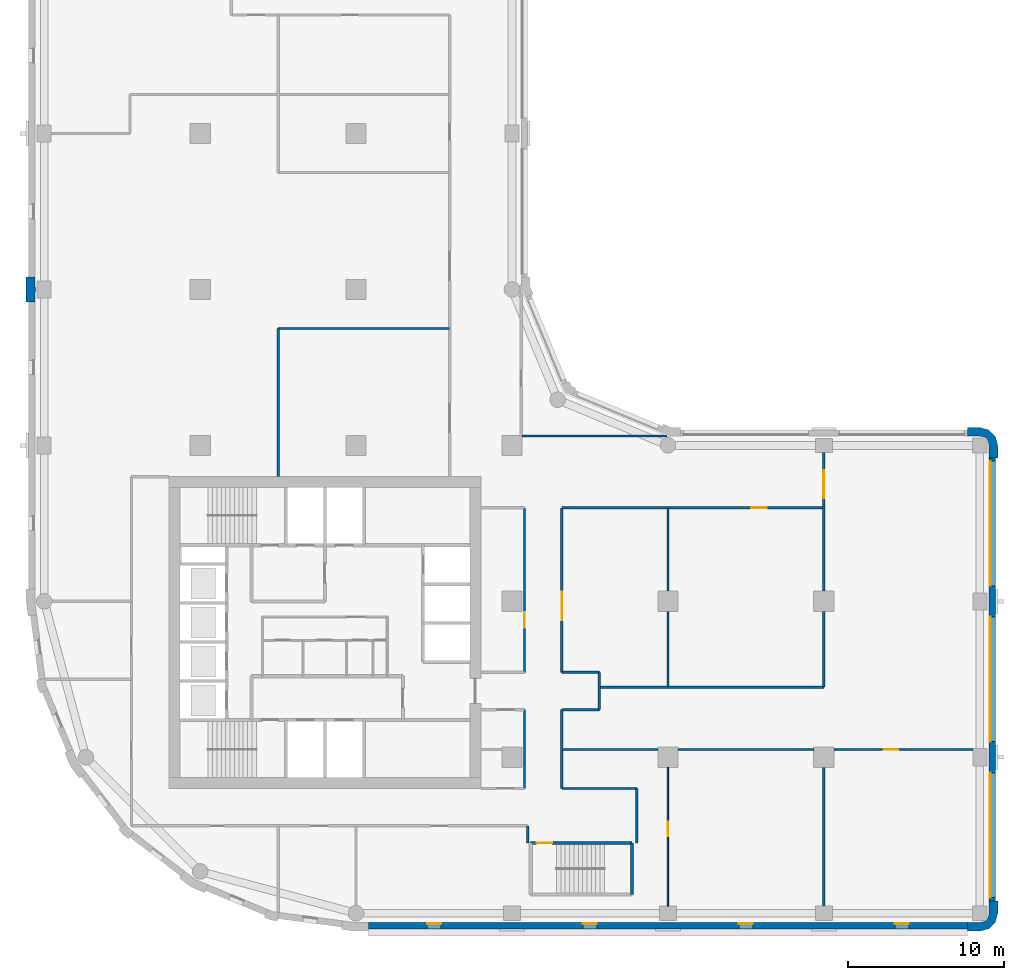
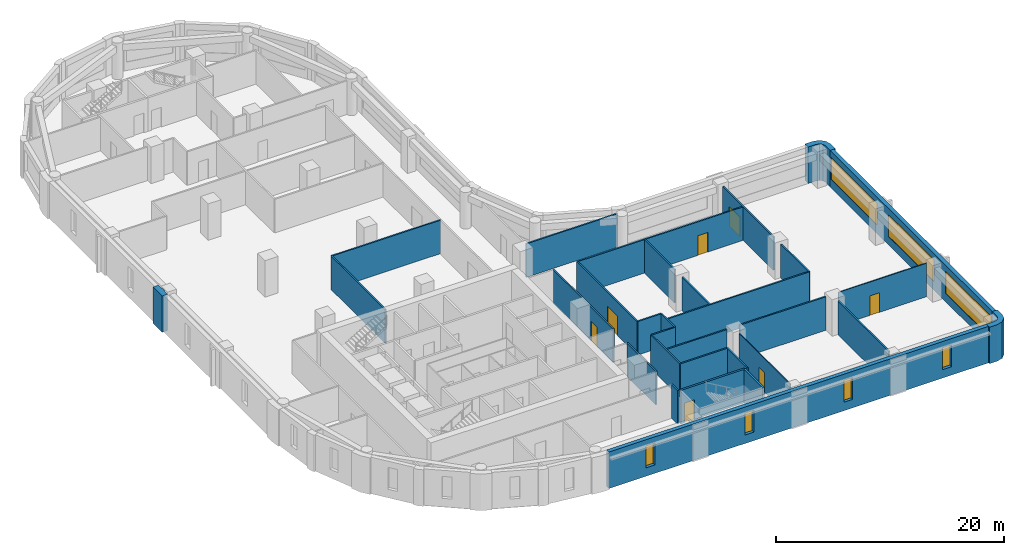
# One storey, part 4 of 9: 31 walls, 7 doors, 7 windows, 14 openings.
"""IFC4 building model written with IfcOpenShell, lengths in metres."""

from ifc_helpers import new_model, si_unit, direction, frame, frame_2d, origin, place, context, subcontext, project, spatial, polyline, rectangle, outline, extrude, material, layer, layer_set, type_object, element, fill, save


model = new_model("IFC4")

# Units and contexts
model_context = context("Model", 3, precision=1e-05, world=origin(), true_north=direction((0.0, 1.0)))
body_context = subcontext(model_context, "Body", "Model", "MODEL_VIEW")
ifc_project = project(units=[si_unit("LENGTHUNIT", "METRE"), si_unit("AREAUNIT", "SQUARE_METRE"), si_unit("VOLUMEUNIT", "CUBIC_METRE"), si_unit("PLANEANGLEUNIT", "RADIAN"), si_unit("MASSUNIT", "GRAM", prefix="KILO")], contexts=[model_context])

# Site, building, storey
site_placement = place(None, origin())
site = spatial("IfcSite", under=ifc_project, at=site_placement, CompositionType="ELEMENT")
building_placement = place(site_placement, origin())
building = spatial("IfcBuilding", under=site, at=building_placement, Name="Qaws Garden Tower", CompositionType="ELEMENT")
storey_placement = place(building_placement, frame((0.0, 0.0, 194.10009765625)))
storey = spatial("IfcBuildingStorey", under=building, at=storey_placement, Name="L47", CompositionType="ELEMENT", Elevation=194.10009765625)

# Walls
ifc_material_1 = material(Name="Clay facing brick masonry", Category="masonry")
ifc_layer_1 = layer(ifc_material_1, 0.550048828125)
ifc_layer_set_1 = layer_set([ifc_layer_1], Name="Clay facing brick masonry")
wall_type_1 = type_object("IfcWallType", Name="Brick corner pier 550 x 2400", PredefinedType="SOLIDWALL", material=ifc_layer_set_1)
placement = place(storey_placement, origin())
element("IfcWall", 1, at=placement, inside=storey, type_object=wall_type_1, Name="E-L47-pier-04", PredefinedType="SOLIDWALL", context=body_context, shape_type="SweptSolid", body=[
    extrude(outline(polyline([(59.199951171875, -1.0), (59.199951171875, -1.14990234375), (60.0, -1.14990234375), (60.574951171875, -0.995849609375), (60.995849609375, -0.574951171875), (61.14990234375, 0.0), (61.14990234375, 0.800048828125), (61.0, 0.800048828125), (60.60009765625, 0.800048828125), (60.60009765625, 0.0), (60.51953125, -0.300048828125), (60.300048828125, -0.51953125), (60.0, -0.60009765625), (59.199951171875, -0.60009765625), (59.199951171875, -1.0)])), origin(), (0.0, 0.0, 1.0), 3.89990234375),
])
element("IfcWall", 2, at=placement, inside=storey, type_object=wall_type_1, Name="E-L47-pier-07", PredefinedType="SOLIDWALL", context=body_context, shape_type="SweptSolid", body=[
    extrude(outline(polyline([(61.0, 29.199951171875), (61.14990234375, 29.199951171875), (61.14990234375, 30.0), (60.995849609375, 30.574951171875), (60.574951171875, 30.995849609375), (60.0, 31.14990234375), (59.199951171875, 31.14990234375), (59.199951171875, 31.0), (59.199951171875, 30.60009765625), (60.0, 30.60009765625), (60.300048828125, 30.51953125), (60.51953125, 30.300048828125), (60.60009765625, 30.0), (60.60009765625, 29.199951171875), (61.0, 29.199951171875)])), origin(), (0.0, 0.0, 1.0), 3.89990234375),
])

# Wall, openings, windows
ifc_material_2 = material(Name="Clay facing brick masonry", Category="masonry")
ifc_layer_2 = layer(ifc_material_2, 0.39990234375)
ifc_layer_set_2 = layer_set([ifc_layer_2], Name="Clay facing brick masonry")
wall_type_2 = type_object("IfcWallType", Name="Brick infill wall 400", PredefinedType="SOLIDWALL", material=ifc_layer_set_2)
wall_3_placement = place(storey_placement, frame((20.800048828125, -0.800048828125, 0.0), z_axis=(0.0, 0.0, 1.0), x_axis=(1.0, 0.0, 0.0)))
wall_3 = element("IfcWall", 3, at=wall_3_placement, inside=storey, type_object=wall_type_2, Name="E-L47-infill-00", PredefinedType="SOLIDWALL", context=body_context, shape_type="SweptSolid", body=[
    extrude(rectangle(XDim=38.39990234375, YDim=0.39990234375, at=frame_2d((19.199951171875, 0.0))), origin(), (0.0, 0.0, 1.0), 3.89990234375),
])
opening_1_placement = place(wall_3_placement, frame((3.75, 0.0, 0.89990234375)))
opening_1 = element("IfcOpeningElement", 4, at=opening_1_placement, cuts=wall_3, Name="Opening W09", PredefinedType="OPENING", context=body_context, shape_type="SweptSolid", body=[
    extrude(rectangle(XDim=0.89990234375, YDim=2.35009765625, at=frame_2d((0.449951171875, 1.175048828125))), frame((0.0, 0.2099609375, 0.0), z_axis=(0.0, -1.0, 0.0), x_axis=(1.0, 0.0, 0.0)), (0.0, 0.0, 1.0), 0.419921875),
])
opening_2_placement = place(wall_3_placement, frame((13.75, 0.0, 0.89990234375)))
opening_2 = element("IfcOpeningElement", 5, at=opening_2_placement, cuts=wall_3, Name="Opening W09", PredefinedType="OPENING", context=body_context, shape_type="SweptSolid", body=[
    extrude(rectangle(XDim=0.89990234375, YDim=2.35009765625, at=frame_2d((0.449951171875, 1.175048828125))), frame((0.0, 0.2099609375, 0.0), z_axis=(0.0, -1.0, 0.0), x_axis=(1.0, 0.0, 0.0)), (0.0, 0.0, 1.0), 0.419921875),
])
opening_3_placement = place(wall_3_placement, frame((23.75, 0.0, 0.89990234375)))
opening_3 = element("IfcOpeningElement", 6, at=opening_3_placement, cuts=wall_3, Name="Opening W09", PredefinedType="OPENING", context=body_context, shape_type="SweptSolid", body=[
    extrude(rectangle(XDim=0.89990234375, YDim=2.35009765625, at=frame_2d((0.449951171875, 1.175048828125))), frame((0.0, 0.2099609375, 0.0), z_axis=(0.0, -1.0, 0.0), x_axis=(1.0, 0.0, 0.0)), (0.0, 0.0, 1.0), 0.419921875),
])
opening_4_placement = place(wall_3_placement, frame((33.75, 0.0, 0.89990234375)))
opening_4 = element("IfcOpeningElement", 7, at=opening_4_placement, cuts=wall_3, Name="Opening W09", PredefinedType="OPENING", context=body_context, shape_type="SweptSolid", body=[
    extrude(rectangle(XDim=0.89990234375, YDim=2.35009765625, at=frame_2d((0.449951171875, 1.175048828125))), frame((0.0, 0.2099609375, 0.0), z_axis=(0.0, -1.0, 0.0), x_axis=(1.0, 0.0, 0.0)), (0.0, 0.0, 1.0), 0.419921875),
])
ifc_material_3 = material(Name="Aluminium framed window, clear glazing", Category="aluminium")
window_type_1 = type_object("IfcWindowType", Name="Slit window 900 x 2350", PartitioningType="SINGLE_PANEL", PredefinedType="WINDOW", material=ifc_material_3)
window_1_placement = place(opening_1_placement, origin())
window_1 = element("IfcWindow", 8, at=window_1_placement, inside=storey, type_object=window_type_1, Name="E-L47-window-00-0", OverallHeight=2.35009765625, OverallWidth=0.89990234375, PartitioningType="SINGLE_PANEL", PredefinedType="WINDOW", context=body_context, shape_type="SweptSolid", body=[
    extrude(rectangle(XDim=0.89990234375, YDim=2.35009765625, at=frame_2d((0.449951171875, 1.175048828125))), frame((0.0, 0.159912109375, 0.0), z_axis=(0.0, -1.0, 0.0), x_axis=(1.0, 0.0, 0.0)), (0.0, 0.0, 1.0), 0.06005859375),
])
fill(opening_1, window_1)
window_2_placement = place(opening_2_placement, origin())
window_2 = element("IfcWindow", 9, at=window_2_placement, inside=storey, type_object=window_type_1, Name="E-L47-window-01-0", OverallHeight=2.35009765625, OverallWidth=0.89990234375, PartitioningType="SINGLE_PANEL", PredefinedType="WINDOW", context=body_context, shape_type="SweptSolid", body=[
    extrude(rectangle(XDim=0.89990234375, YDim=2.35009765625, at=frame_2d((0.449951171875, 1.175048828125))), frame((0.0, 0.159912109375, 0.0), z_axis=(0.0, -1.0, 0.0), x_axis=(1.0, 0.0, 0.0)), (0.0, 0.0, 1.0), 0.06005859375),
])
fill(opening_2, window_2)
window_3_placement = place(opening_3_placement, origin())
window_3 = element("IfcWindow", 10, at=window_3_placement, inside=storey, type_object=window_type_1, Name="E-L47-window-02-0", OverallHeight=2.35009765625, OverallWidth=0.89990234375, PartitioningType="SINGLE_PANEL", PredefinedType="WINDOW", context=body_context, shape_type="SweptSolid", body=[
    extrude(rectangle(XDim=0.89990234375, YDim=2.35009765625, at=frame_2d((0.449951171875, 1.175048828125))), frame((0.0, 0.159912109375, 0.0), z_axis=(0.0, -1.0, 0.0), x_axis=(1.0, 0.0, 0.0)), (0.0, 0.0, 1.0), 0.06005859375),
])
fill(opening_3, window_3)
window_4_placement = place(opening_4_placement, origin())
window_4 = element("IfcWindow", 11, at=window_4_placement, inside=storey, type_object=window_type_1, Name="E-L47-window-03-0", OverallHeight=2.35009765625, OverallWidth=0.89990234375, PartitioningType="SINGLE_PANEL", PredefinedType="WINDOW", context=body_context, shape_type="SweptSolid", body=[
    extrude(rectangle(XDim=0.89990234375, YDim=2.35009765625, at=frame_2d((0.449951171875, 1.175048828125))), frame((0.0, 0.159912109375, 0.0), z_axis=(0.0, -1.0, 0.0), x_axis=(1.0, 0.0, 0.0)), (0.0, 0.0, 1.0), 0.06005859375),
])
fill(opening_4, window_4)

wall_4_placement = place(storey_placement, frame((60.800048828125, 0.800048828125, 0.0), z_axis=(0.0, 0.0, 1.0), x_axis=(0.0, 1.0, 0.0)))
wall_4 = element("IfcWall", 12, at=wall_4_placement, inside=storey, type_object=wall_type_2, Name="E-L47-infill-04", PredefinedType="SOLIDWALL", context=body_context, shape_type="SweptSolid", body=[
    extrude(rectangle(XDim=28.39990234375, YDim=0.39990234375, at=frame_2d((14.199951171875, 0.0))), origin(), (0.0, 0.0, 1.0), 3.89990234375),
])
opening_5_placement = place(wall_4_placement, frame((0.199951171875, 0.0, 0.89990234375)))
opening_5 = element("IfcOpeningElement", 13, at=opening_5_placement, cuts=wall_4, Name="Opening W01", PredefinedType="OPENING", context=body_context, shape_type="SweptSolid", body=[
    extrude(rectangle(XDim=8.0, YDim=2.35009765625, at=frame_2d((4.0, 1.175048828125))), frame((0.0, 0.2099609375, 0.0), z_axis=(0.0, -1.0, 0.0), x_axis=(1.0, 0.0, 0.0)), (0.0, 0.0, 1.0), 0.419921875),
])
opening_6_placement = place(wall_4_placement, frame((10.199951171875, 0.0, 0.89990234375)))
opening_6 = element("IfcOpeningElement", 14, at=opening_6_placement, cuts=wall_4, Name="Opening W01", PredefinedType="OPENING", context=body_context, shape_type="SweptSolid", body=[
    extrude(rectangle(XDim=8.0, YDim=2.35009765625, at=frame_2d((4.0, 1.175048828125))), frame((0.0, 0.2099609375, 0.0), z_axis=(0.0, -1.0, 0.0), x_axis=(1.0, 0.0, 0.0)), (0.0, 0.0, 1.0), 0.419921875),
])
opening_7_placement = place(wall_4_placement, frame((20.199951171875, 0.0, 0.89990234375)))
opening_7 = element("IfcOpeningElement", 15, at=opening_7_placement, cuts=wall_4, Name="Opening W01", PredefinedType="OPENING", context=body_context, shape_type="SweptSolid", body=[
    extrude(rectangle(XDim=8.0, YDim=2.35009765625, at=frame_2d((4.0, 1.175048828125))), frame((0.0, 0.2099609375, 0.0), z_axis=(0.0, -1.0, 0.0), x_axis=(1.0, 0.0, 0.0)), (0.0, 0.0, 1.0), 0.419921875),
])
ifc_material_4 = material(Name="Aluminium framed window, clear glazing", Category="aluminium")
window_type_2 = type_object("IfcWindowType", Name="Ribbon window 8000 x 2350", PartitioningType="DOUBLE_PANEL_VERTICAL", PredefinedType="WINDOW", material=ifc_material_4)
window_5_placement = place(opening_5_placement, origin())
window_5 = element("IfcWindow", 16, at=window_5_placement, inside=storey, type_object=window_type_2, Name="E-L47-window-04-0", OverallHeight=2.35009765625, OverallWidth=8.0, PartitioningType="SINGLE_PANEL", PredefinedType="WINDOW", context=body_context, shape_type="SweptSolid", body=[
    extrude(rectangle(XDim=8.0, YDim=2.35009765625, at=frame_2d((4.0, 1.175048828125))), frame((0.0, 0.159912109375, 0.0), z_axis=(0.0, -1.0, 0.0), x_axis=(1.0, 0.0, 0.0)), (0.0, 0.0, 1.0), 0.06005859375),
])
fill(opening_5, window_5)
window_6_placement = place(opening_6_placement, origin())
window_6 = element("IfcWindow", 17, at=window_6_placement, inside=storey, type_object=window_type_2, Name="E-L47-window-05-0", OverallHeight=2.35009765625, OverallWidth=8.0, PartitioningType="SINGLE_PANEL", PredefinedType="WINDOW", context=body_context, shape_type="SweptSolid", body=[
    extrude(rectangle(XDim=8.0, YDim=2.35009765625, at=frame_2d((4.0, 1.175048828125))), frame((0.0, 0.159912109375, 0.0), z_axis=(0.0, -1.0, 0.0), x_axis=(1.0, 0.0, 0.0)), (0.0, 0.0, 1.0), 0.06005859375),
])
fill(opening_6, window_6)
window_7_placement = place(opening_7_placement, origin())
window_7 = element("IfcWindow", 18, at=window_7_placement, inside=storey, type_object=window_type_2, Name="E-L47-window-06-0", OverallHeight=2.35009765625, OverallWidth=8.0, PartitioningType="SINGLE_PANEL", PredefinedType="WINDOW", context=body_context, shape_type="SweptSolid", body=[
    extrude(rectangle(XDim=8.0, YDim=2.35009765625, at=frame_2d((4.0, 1.175048828125))), frame((0.0, 0.159912109375, 0.0), z_axis=(0.0, -1.0, 0.0), x_axis=(1.0, 0.0, 0.0)), (0.0, 0.0, 1.0), 0.06005859375),
])
fill(opening_7, window_7)

# Wall
ifc_material_5 = material(Name="Clay facing brick masonry", Category="masonry")
ifc_layer_3 = layer(ifc_material_5, 0.550048828125)
ifc_layer_set_3 = layer_set([ifc_layer_3], Name="Clay facing brick masonry")
wall_type_3 = type_object("IfcWallType", Name="Brick pier 550 x 1600", PredefinedType="SOLIDWALL", material=ifc_layer_set_3)
element("IfcWall", 19, at=placement, inside=storey, type_object=wall_type_3, Name="E-L47-pier-23", PredefinedType="SOLIDWALL", context=body_context, shape_type="SweptSolid", body=[
    extrude(outline(polyline([(-0.60009765625, 39.199951171875), (-0.60009765625, 39.85009765625), (-0.550048828125, 39.85009765625), (-0.550048828125, 40.14990234375), (-0.60009765625, 40.14990234375), (-0.60009765625, 40.800048828125), (-1.0, 40.800048828125), (-1.14990234375, 40.800048828125), (-1.14990234375, 40.0), (-1.14990234375, 39.199951171875), (-1.0, 39.199951171875), (-0.60009765625, 39.199951171875)])), origin(), (0.0, 0.0, 1.0), 3.89990234375),
])

# Wall, opening, door
ifc_material_6 = material(Name="Concrete C70", Category="concrete")
ifc_layer_4 = layer(ifc_material_6, 0.199951171875)
ifc_layer_set_4 = layer_set([ifc_layer_4], Name="Concrete C70")
wall_type_4 = type_object("IfcWallType", Name="Core shaft wall 200 C70", PredefinedType="SHEAR", material=ifc_layer_set_4)
wall_6_placement = place(storey_placement, frame((31.199951171875, 4.5, 0.0), z_axis=(0.0, 0.0, 1.0), x_axis=(1.0, 0.0, 0.0)))
wall_6 = element("IfcWall", 20, at=wall_6_placement, inside=storey, type_object=wall_type_4, Name="Shaft wall", PredefinedType="SHEAR", context=body_context, shape_type="SweptSolid", body=[
    extrude(rectangle(XDim=6.5, YDim=0.199951171875, at=frame_2d((3.25, 0.0))), origin(), (0.0, 0.0, 1.0), 3.579833984375),
])
opening_8_placement = place(wall_6_placement, frame((0.375, 0.0, 0.0)))
opening_8 = element("IfcOpeningElement", 21, at=opening_8_placement, cuts=wall_6, Name="Opening SD12", PredefinedType="OPENING", context=body_context, shape_type="SweptSolid", body=[
    extrude(rectangle(XDim=1.0, YDim=2.10009765625, at=frame_2d((0.5, 1.050048828125))), frame((0.0, 0.10986328125, 0.0), z_axis=(0.0, -1.0, 0.0), x_axis=(1.0, 0.0, 0.0)), (0.0, 0.0, 1.0), 0.219970703125),
])
ifc_material_7 = material(Name="Steel S235", Category="steel")
door_type_1 = type_object("IfcDoorType", Name="Stair door 1000x2100", OperationType="SINGLE_SWING_RIGHT", PredefinedType="DOOR", material=ifc_material_7)
door_1_placement = place(opening_8_placement, frame((1.0, 0.0, 0.0), z_axis=(0.0, 0.0, 1.0), x_axis=(-1.0, 0.0, 0.0)))
door_1 = element("IfcDoor", 22, at=door_1_placement, inside=storey, type_object=door_type_1, Name="Stair 5 door", OperationType="SINGLE_SWING_RIGHT", OverallHeight=2.10009765625, OverallWidth=1.0, PredefinedType="DOOR", context=body_context, shape_type="SweptSolid", body=[
    extrude(rectangle(XDim=1.0, YDim=2.10009765625, at=frame_2d((0.5, 1.050048828125))), frame((0.0, 0.02490234375, 0.0), z_axis=(0.0, -1.0, 0.0), x_axis=(1.0, 0.0, 0.0)), (0.0, 0.0, 1.0), 0.050048828125),
])
fill(opening_8, door_1)

# Wall
wall_7_placement = place(storey_placement, frame((37.699951171875, 1.199951171875, 0.0), z_axis=(0.0, 0.0, 1.0), x_axis=(0.0, 1.0, 0.0)))
element("IfcWall", 23, at=wall_7_placement, inside=storey, type_object=wall_type_4, Name="Shaft wall", PredefinedType="SHEAR", context=body_context, shape_type="SweptSolid", body=[
    extrude(rectangle(XDim=3.300048828125, YDim=0.199951171875, at=frame_2d((1.64990234375, 0.0))), origin(), (0.0, 0.0, 1.0), 3.579833984375),
])

# Wall, opening, door
ifc_material_8 = material(Name="Gypsum board partition")
ifc_layer_5 = layer(ifc_material_8, 0.10009765625)
ifc_layer_set_5 = layer_set([ifc_layer_5], Name="Gypsum board partition")
wall_type_5 = type_object("IfcWallType", Name="PARTITION 100", PredefinedType="PARTITIONING", material=ifc_layer_set_5)
wall_8_placement = place(storey_placement, frame((40.0, 0.449951171875, 0.0), z_axis=(0.0, 0.0, 1.0), x_axis=(0.0, 1.0, 0.0)))
wall_8 = element("IfcWall", 24, at=wall_8_placement, inside=storey, type_object=wall_type_5, Name="O-L47-wall-001", PredefinedType="PARTITIONING", context=body_context, shape_type="SweptSolid", body=[
    extrude(rectangle(XDim=8.900146484375, YDim=0.10009765625, at=frame_2d((4.4501953125, 0.0))), origin(), (0.0, 0.0, 1.0), 3.579833984375),
])
opening_9_placement = place(wall_8_placement, frame((4.47509765625, 0.0, 0.0)))
opening_9 = element("IfcOpeningElement", 25, at=opening_9_placement, cuts=wall_8, Name="Opening B621", PredefinedType="OPENING", context=body_context, shape_type="SweptSolid", body=[
    extrude(rectangle(XDim=0.949951171875, YDim=2.10009765625, at=frame_2d((0.47509765625, 1.050048828125))), frame((0.0, 0.06005859375, 0.0), z_axis=(0.0, -1.0, 0.0), x_axis=(1.0, 0.0, 0.0)), (0.0, 0.0, 1.0), 0.1201171875),
])
ifc_material_9 = material(Name="Timber and glass door leaf", Category="wood")
door_type_2 = type_object("IfcDoorType", Name="GLAZED DOOR 950 X 2100", OperationType="SINGLE_SWING_LEFT", PredefinedType="DOOR", material=ifc_material_9)
door_2_placement = place(opening_9_placement, frame((0.949951171875, 0.0, 0.0), z_axis=(0.0, 0.0, 1.0), x_axis=(-1.0, 0.0, 0.0)))
door_2 = element("IfcDoor", 26, at=door_2_placement, inside=storey, type_object=door_type_2, Name="O-L47-door-021", OperationType="SINGLE_SWING_LEFT", OverallHeight=2.10009765625, OverallWidth=0.949951171875, PredefinedType="DOOR", context=body_context, shape_type="SweptSolid", body=[
    extrude(rectangle(XDim=0.949951171875, YDim=2.10009765625, at=frame_2d((0.47509765625, 1.050048828125))), frame((0.0, 0.02490234375, 0.0), z_axis=(0.0, -1.0, 0.0), x_axis=(1.0, 0.0, 0.0)), (0.0, 0.0, 1.0), 0.050048828125),
])
fill(opening_9, door_2)

wall_9_placement = place(storey_placement, frame((50.64990234375, 10.5, 0.0), z_axis=(0.0, 0.0, 1.0), x_axis=(1.0, 0.0, 0.0)))
wall_9 = element("IfcWall", 27, at=wall_9_placement, inside=storey, type_object=wall_type_5, Name="O-L47-wall-002", PredefinedType="PARTITIONING", context=body_context, shape_type="SweptSolid", body=[
    extrude(rectangle(XDim=8.900146484375, YDim=0.10009765625, at=frame_2d((4.4501953125, 0.0))), origin(), (0.0, 0.0, 1.0), 3.579833984375),
])
opening_10_placement = place(wall_9_placement, frame((3.175048828125, 0.0, 0.0)))
opening_10 = element("IfcOpeningElement", 28, at=opening_10_placement, cuts=wall_9, Name="Opening B622", PredefinedType="OPENING", context=body_context, shape_type="SweptSolid", body=[
    extrude(rectangle(XDim=0.949951171875, YDim=2.10009765625, at=frame_2d((0.47509765625, 1.050048828125))), frame((0.0, 0.06005859375, 0.0), z_axis=(0.0, -1.0, 0.0), x_axis=(1.0, 0.0, 0.0)), (0.0, 0.0, 1.0), 0.1201171875),
])
door_3_placement = place(opening_10_placement, frame((0.949951171875, 0.0, 0.0), z_axis=(0.0, 0.0, 1.0), x_axis=(-1.0, 0.0, 0.0)))
door_3 = element("IfcDoor", 29, at=door_3_placement, inside=storey, type_object=door_type_2, Name="O-L47-door-022", OperationType="SINGLE_SWING_RIGHT", OverallHeight=2.10009765625, OverallWidth=0.949951171875, PredefinedType="DOOR", context=body_context, shape_type="SweptSolid", body=[
    extrude(rectangle(XDim=0.949951171875, YDim=2.10009765625, at=frame_2d((0.47509765625, 1.050048828125))), frame((0.0, 0.02490234375, 0.0), z_axis=(0.0, -1.0, 0.0), x_axis=(1.0, 0.0, 0.0)), (0.0, 0.0, 1.0), 0.050048828125),
])
fill(opening_10, door_3)

# Walls
ifc_material_10 = material(Name="Gypsum board partition")
ifc_layer_6 = layer(ifc_material_10, 0.14990234375)
ifc_layer_set_6 = layer_set([ifc_layer_6], Name="Gypsum board partition")
wall_type_6 = type_object("IfcWallType", Name="PARTITION 150 EI 60", PredefinedType="PARTITIONING", material=ifc_layer_set_6)
wall_10_placement = place(storey_placement, frame((15.0, 28.0, 0.0), z_axis=(0.0, 0.0, 1.0), x_axis=(0.0, 1.0, 0.0)))
element("IfcWall", 30, at=wall_10_placement, inside=storey, type_object=wall_type_6, Name="O-L47-wall-008", PredefinedType="PARTITIONING", context=body_context, shape_type="SweptSolid", body=[
    extrude(rectangle(XDim=9.5, YDim=0.14990234375, at=frame_2d((4.75, 0.0))), origin(), (0.0, 0.0, 1.0), 3.579833984375),
])
wall_11_placement = place(storey_placement, frame((30.800048828125, 8.0, 0.0), z_axis=(0.0, 0.0, 1.0), x_axis=(0.0, 1.0, 0.0)))
element("IfcWall", 31, at=wall_11_placement, inside=storey, type_object=wall_type_6, Name="O-L47-wall-015", PredefinedType="PARTITIONING", context=body_context, shape_type="SweptSolid", body=[
    extrude(rectangle(XDim=5.050048828125, YDim=0.14990234375, at=frame_2d((2.52490234375, 0.0))), origin(), (0.0, 0.0, 1.0), 3.579833984375),
])

# Wall, opening, door
wall_12_placement = place(storey_placement, frame((30.800048828125, 15.449951171875, 0.0), z_axis=(0.0, 0.0, 1.0), x_axis=(0.0, 1.0, 0.0)))
wall_12 = element("IfcWall", 32, at=wall_12_placement, inside=storey, type_object=wall_type_6, Name="O-L47-wall-016", PredefinedType="PARTITIONING", context=body_context, shape_type="SweptSolid", body=[
    extrude(rectangle(XDim=10.550048828125, YDim=0.14990234375, at=frame_2d((5.27490234375, 0.0))), origin(), (0.0, 0.0, 1.0), 3.579833984375),
])
opening_11_placement = place(wall_12_placement, frame((2.85009765625, 0.0, 0.0)))
opening_11 = element("IfcOpeningElement", 33, at=opening_11_placement, cuts=wall_12, Name="Opening B616", PredefinedType="OPENING", context=body_context, shape_type="SweptSolid", body=[
    extrude(rectangle(XDim=1.0, YDim=2.10009765625, at=frame_2d((0.5, 1.050048828125))), frame((0.0, 0.0849609375, 0.0), z_axis=(0.0, -1.0, 0.0), x_axis=(1.0, 0.0, 0.0)), (0.0, 0.0, 1.0), 0.169921875),
])
ifc_material_11 = material(Name="Timber door leaf", Category="wood")
door_type_3 = type_object("IfcDoorType", Name="TENANCY ENTRANCE DOOR 1000 X 2100", OperationType="SINGLE_SWING_LEFT", PredefinedType="DOOR", material=ifc_material_11)
door_4_placement = place(opening_11_placement, origin())
door_4 = element("IfcDoor", 34, at=door_4_placement, inside=storey, type_object=door_type_3, Name="O-L47-door-016", OperationType="SINGLE_SWING_RIGHT", OverallHeight=2.10009765625, OverallWidth=1.0, PredefinedType="DOOR", context=body_context, shape_type="SweptSolid", body=[
    extrude(rectangle(XDim=1.0, YDim=2.10009765625, at=frame_2d((0.5, 1.050048828125))), frame((0.0, 0.02490234375, 0.0), z_axis=(0.0, -1.0, 0.0), x_axis=(1.0, 0.0, 0.0)), (0.0, 0.0, 1.0), 0.050048828125),
])
fill(opening_11, door_4)

# Walls
wall_13_placement = place(storey_placement, frame((31.0, 4.5, 0.0), z_axis=(0.0, 0.0, 1.0), x_axis=(0.0, 1.0, 0.0)))
element("IfcWall", 35, at=wall_13_placement, inside=storey, type_object=wall_type_6, Name="O-L47-wall-017", PredefinedType="PARTITIONING", context=body_context, shape_type="SweptSolid", body=[
    extrude(rectangle(XDim=1.10009765625, YDim=0.14990234375, at=frame_2d((0.550048828125, 0.0))), origin(), (0.0, 0.0, 1.0), 3.579833984375),
])
wall_14_placement = place(storey_placement, frame((33.199951171875, 8.0, 0.0), z_axis=(0.0, 0.0, 1.0), x_axis=(0.0, 1.0, 0.0)))
element("IfcWall", 36, at=wall_14_placement, inside=storey, type_object=wall_type_6, Name="O-L47-wall-018", PredefinedType="PARTITIONING", context=body_context, shape_type="SweptSolid", body=[
    extrude(rectangle(XDim=5.050048828125, YDim=0.14990234375, at=frame_2d((2.52490234375, 0.0))), origin(), (0.0, 0.0, 1.0), 3.579833984375),
])

# Wall, opening, door
wall_15_placement = place(storey_placement, frame((33.199951171875, 15.449951171875, 0.0), z_axis=(0.0, 0.0, 1.0), x_axis=(0.0, 1.0, 0.0)))
wall_15 = element("IfcWall", 37, at=wall_15_placement, inside=storey, type_object=wall_type_6, Name="O-L47-wall-019", PredefinedType="PARTITIONING", context=body_context, shape_type="SweptSolid", body=[
    extrude(rectangle(XDim=10.550048828125, YDim=0.14990234375, at=frame_2d((5.27490234375, 0.0))), origin(), (0.0, 0.0, 1.0), 3.579833984375),
])
opening_12_placement = place(wall_15_placement, frame((3.35009765625, 0.0, 0.0)))
opening_12 = element("IfcOpeningElement", 38, at=opening_12_placement, cuts=wall_15, Name="Opening B615", PredefinedType="OPENING", context=body_context, shape_type="SweptSolid", body=[
    extrude(rectangle(XDim=1.800048828125, YDim=2.10009765625, at=frame_2d((0.89990234375, 1.050048828125))), frame((0.0, 0.0849609375, 0.0), z_axis=(0.0, -1.0, 0.0), x_axis=(1.0, 0.0, 0.0)), (0.0, 0.0, 1.0), 0.169921875),
])
ifc_material_12 = material(Name="Timber door leaf", Category="wood")
door_type_4 = type_object("IfcDoorType", Name="DOUBLE DOOR 1800 X 2100", OperationType="DOUBLE_DOOR_SINGLE_SWING", PredefinedType="DOOR", material=ifc_material_12)
door_5_placement = place(opening_12_placement, frame((1.800048828125, 0.0, 0.0), z_axis=(0.0, 0.0, 1.0), x_axis=(-1.0, 0.0, 0.0)))
door_5 = element("IfcDoor", 39, at=door_5_placement, inside=storey, type_object=door_type_4, Name="O-L47-door-015", OperationType="DOUBLE_DOOR_SINGLE_SWING", OverallHeight=2.10009765625, OverallWidth=1.800048828125, PredefinedType="DOOR", context=body_context, shape_type="SweptSolid", body=[
    extrude(rectangle(XDim=1.800048828125, YDim=2.10009765625, at=frame_2d((0.89990234375, 1.050048828125))), frame((0.0, 0.02490234375, 0.0), z_axis=(0.0, -1.0, 0.0), x_axis=(1.0, 0.0, 0.0)), (0.0, 0.0, 1.0), 0.050048828125),
])
fill(opening_12, door_5)

# Walls
wall_16_placement = place(storey_placement, frame((35.60009765625, 13.050048828125, 0.0), z_axis=(0.0, 0.0, 1.0), x_axis=(0.0, 1.0, 0.0)))
element("IfcWall", 40, at=wall_16_placement, inside=storey, type_object=wall_type_6, Name="O-L47-wall-020", PredefinedType="PARTITIONING", context=body_context, shape_type="SweptSolid", body=[
    extrude(rectangle(XDim=2.39990234375, YDim=0.14990234375, at=frame_2d((1.199951171875, 0.0))), origin(), (0.0, 0.0, 1.0), 3.579833984375),
])
wall_17_placement = place(storey_placement, frame((38.0, 4.5, 0.0), z_axis=(0.0, 0.0, 1.0), x_axis=(0.0, 1.0, 0.0)))
element("IfcWall", 41, at=wall_17_placement, inside=storey, type_object=wall_type_6, Name="O-L47-wall-021", PredefinedType="PARTITIONING", context=body_context, shape_type="SweptSolid", body=[
    extrude(rectangle(XDim=3.5, YDim=0.14990234375, at=frame_2d((1.75, 0.0))), origin(), (0.0, 0.0, 1.0), 3.579833984375),
])
wall_18_placement = place(storey_placement, frame((40.0, 14.5, 0.0), z_axis=(0.0, 0.0, 1.0), x_axis=(0.0, 1.0, 0.0)))
element("IfcWall", 42, at=wall_18_placement, inside=storey, type_object=wall_type_6, Name="O-L47-wall-022", PredefinedType="PARTITIONING", context=body_context, shape_type="SweptSolid", body=[
    extrude(rectangle(XDim=4.85009765625, YDim=0.14990234375, at=frame_2d((2.425048828125, 0.0))), origin(), (0.0, 0.0, 1.0), 3.579833984375),
])
wall_19_placement = place(storey_placement, frame((40.0, 20.64990234375, 0.0), z_axis=(0.0, 0.0, 1.0), x_axis=(0.0, 1.0, 0.0)))
element("IfcWall", 43, at=wall_19_placement, inside=storey, type_object=wall_type_6, Name="O-L47-wall-023", PredefinedType="PARTITIONING", context=body_context, shape_type="SweptSolid", body=[
    extrude(rectangle(XDim=5.35009765625, YDim=0.14990234375, at=frame_2d((2.675048828125, 0.0))), origin(), (0.0, 0.0, 1.0), 3.579833984375),
])
wall_20_placement = place(storey_placement, frame((50.0, 0.449951171875, 0.0), z_axis=(0.0, 0.0, 1.0), x_axis=(0.0, 1.0, 0.0)))
element("IfcWall", 44, at=wall_20_placement, inside=storey, type_object=wall_type_6, Name="O-L47-wall-024", PredefinedType="PARTITIONING", context=body_context, shape_type="SweptSolid", body=[
    extrude(rectangle(XDim=8.900146484375, YDim=0.14990234375, at=frame_2d((4.4501953125, 0.0))), origin(), (0.0, 0.0, 1.0), 3.579833984375),
])
wall_21_placement = place(storey_placement, frame((50.0, 14.5, 0.0), z_axis=(0.0, 0.0, 1.0), x_axis=(0.0, 1.0, 0.0)))
element("IfcWall", 45, at=wall_21_placement, inside=storey, type_object=wall_type_6, Name="O-L47-wall-025", PredefinedType="PARTITIONING", context=body_context, shape_type="SweptSolid", body=[
    extrude(rectangle(XDim=4.85009765625, YDim=0.14990234375, at=frame_2d((2.425048828125, 0.0))), origin(), (0.0, 0.0, 1.0), 3.579833984375),
])

# Wall, opening, door
wall_22_placement = place(storey_placement, frame((50.0, 20.64990234375, 0.0), z_axis=(0.0, 0.0, 1.0), x_axis=(0.0, 1.0, 0.0)))
wall_22 = element("IfcWall", 46, at=wall_22_placement, inside=storey, type_object=wall_type_6, Name="O-L47-wall-026", PredefinedType="PARTITIONING", context=body_context, shape_type="SweptSolid", body=[
    extrude(rectangle(XDim=8.900146484375, YDim=0.14990234375, at=frame_2d((4.4501953125, 0.0))), origin(), (0.0, 0.0, 1.0), 3.579833984375),
])
opening_13_placement = place(wall_22_placement, frame((5.949951171875, 0.0, 0.0)))
opening_13 = element("IfcOpeningElement", 47, at=opening_13_placement, cuts=wall_22, Name="Opening B618", PredefinedType="OPENING", context=body_context, shape_type="SweptSolid", body=[
    extrude(rectangle(XDim=1.800048828125, YDim=2.10009765625, at=frame_2d((0.89990234375, 1.050048828125))), frame((0.0, 0.0849609375, 0.0), z_axis=(0.0, -1.0, 0.0), x_axis=(1.0, 0.0, 0.0)), (0.0, 0.0, 1.0), 0.169921875),
])
door_6_placement = place(opening_13_placement, frame((1.800048828125, 0.0, 0.0), z_axis=(0.0, 0.0, 1.0), x_axis=(-1.0, 0.0, 0.0)))
door_6 = element("IfcDoor", 48, at=door_6_placement, inside=storey, type_object=door_type_4, Name="O-L47-door-018", OperationType="DOUBLE_DOOR_SINGLE_SWING", OverallHeight=2.10009765625, OverallWidth=1.800048828125, PredefinedType="DOOR", context=body_context, shape_type="SweptSolid", body=[
    extrude(rectangle(XDim=1.800048828125, YDim=2.10009765625, at=frame_2d((0.89990234375, 1.050048828125))), frame((0.0, 0.02490234375, 0.0), z_axis=(0.0, -1.0, 0.0), x_axis=(1.0, 0.0, 0.0)), (0.0, 0.0, 1.0), 0.050048828125),
])
fill(opening_13, door_6)

# Walls
wall_23_placement = place(storey_placement, frame((33.199951171875, 8.0, 0.0), z_axis=(0.0, 0.0, 1.0), x_axis=(1.0, 0.0, 0.0)))
element("IfcWall", 49, at=wall_23_placement, inside=storey, type_object=wall_type_6, Name="O-L47-wall-029", PredefinedType="PARTITIONING", context=body_context, shape_type="SweptSolid", body=[
    extrude(rectangle(XDim=4.800048828125, YDim=0.14990234375, at=frame_2d((2.39990234375, 0.0))), origin(), (0.0, 0.0, 1.0), 3.579833984375),
])
wall_24_placement = place(storey_placement, frame((33.199951171875, 10.5, 0.0), z_axis=(0.0, 0.0, 1.0), x_axis=(1.0, 0.0, 0.0)))
element("IfcWall", 50, at=wall_24_placement, inside=storey, type_object=wall_type_6, Name="O-L47-wall-031", PredefinedType="PARTITIONING", context=body_context, shape_type="SweptSolid", body=[
    extrude(rectangle(XDim=6.150146484375, YDim=0.14990234375, at=frame_2d((3.0751953125, 0.0))), origin(), (0.0, 0.0, 1.0), 3.579833984375),
])
wall_25_placement = place(storey_placement, frame((40.64990234375, 10.5, 0.0), z_axis=(0.0, 0.0, 1.0), x_axis=(1.0, 0.0, 0.0)))
element("IfcWall", 51, at=wall_25_placement, inside=storey, type_object=wall_type_6, Name="O-L47-wall-032", PredefinedType="PARTITIONING", context=body_context, shape_type="SweptSolid", body=[
    extrude(rectangle(XDim=8.7001953125, YDim=0.14990234375, at=frame_2d((4.35009765625, 0.0))), origin(), (0.0, 0.0, 1.0), 3.579833984375),
])
wall_26_placement = place(storey_placement, frame((33.199951171875, 13.050048828125, 0.0), z_axis=(0.0, 0.0, 1.0), x_axis=(1.0, 0.0, 0.0)))
element("IfcWall", 52, at=wall_26_placement, inside=storey, type_object=wall_type_6, Name="O-L47-wall-034", PredefinedType="PARTITIONING", context=body_context, shape_type="SweptSolid", body=[
    extrude(rectangle(XDim=2.400146484375, YDim=0.14990234375, at=frame_2d((1.2001953125, 0.0))), origin(), (0.0, 0.0, 1.0), 3.579833984375),
])
wall_27_placement = place(storey_placement, frame((35.60009765625, 14.5, 0.0), z_axis=(0.0, 0.0, 1.0), x_axis=(1.0, 0.0, 0.0)))
element("IfcWall", 53, at=wall_27_placement, inside=storey, type_object=wall_type_6, Name="O-L47-wall-035", PredefinedType="PARTITIONING", context=body_context, shape_type="SweptSolid", body=[
    extrude(rectangle(XDim=14.39990234375, YDim=0.14990234375, at=frame_2d((7.199951171875, 0.0))), origin(), (0.0, 0.0, 1.0), 3.579833984375),
])
wall_28_placement = place(storey_placement, frame((33.199951171875, 15.449951171875, 0.0), z_axis=(0.0, 0.0, 1.0), x_axis=(1.0, 0.0, 0.0)))
element("IfcWall", 54, at=wall_28_placement, inside=storey, type_object=wall_type_6, Name="O-L47-wall-038", PredefinedType="PARTITIONING", context=body_context, shape_type="SweptSolid", body=[
    extrude(rectangle(XDim=2.400146484375, YDim=0.14990234375, at=frame_2d((1.2001953125, 0.0))), origin(), (0.0, 0.0, 1.0), 3.579833984375),
])

# Wall, opening, door
wall_29_placement = place(storey_placement, frame((33.199951171875, 26.0, 0.0), z_axis=(0.0, 0.0, 1.0), x_axis=(1.0, 0.0, 0.0)))
wall_29 = element("IfcWall", 55, at=wall_29_placement, inside=storey, type_object=wall_type_6, Name="O-L47-wall-041", PredefinedType="PARTITIONING", context=body_context, shape_type="SweptSolid", body=[
    extrude(rectangle(XDim=16.800048828125, YDim=0.14990234375, at=frame_2d((8.39990234375, 0.0))), origin(), (0.0, 0.0, 1.0), 3.579833984375),
])
opening_14_placement = place(wall_29_placement, frame((12.14990234375, 0.0, 0.0)))
opening_14 = element("IfcOpeningElement", 56, at=opening_14_placement, cuts=wall_29, Name="Opening B617", PredefinedType="OPENING", context=body_context, shape_type="SweptSolid", body=[
    extrude(rectangle(XDim=1.0, YDim=2.10009765625, at=frame_2d((0.5, 1.050048828125))), frame((0.0, 0.0849609375, 0.0), z_axis=(0.0, -1.0, 0.0), x_axis=(1.0, 0.0, 0.0)), (0.0, 0.0, 1.0), 0.169921875),
])
door_7_placement = place(opening_14_placement, frame((1.0, 0.0, 0.0), z_axis=(0.0, 0.0, 1.0), x_axis=(-1.0, 0.0, 0.0)))
door_7 = element("IfcDoor", 57, at=door_7_placement, inside=storey, type_object=door_type_3, Name="O-L47-door-017", OperationType="SINGLE_SWING_RIGHT", OverallHeight=2.10009765625, OverallWidth=1.0, PredefinedType="DOOR", context=body_context, shape_type="SweptSolid", body=[
    extrude(rectangle(XDim=1.0, YDim=2.10009765625, at=frame_2d((0.5, 1.050048828125))), frame((0.0, 0.02490234375, 0.0), z_axis=(0.0, -1.0, 0.0), x_axis=(1.0, 0.0, 0.0)), (0.0, 0.0, 1.0), 0.050048828125),
])
fill(opening_14, door_7)

# Walls
wall_30_placement = place(storey_placement, frame((30.64990234375, 30.60009765625, 0.0), z_axis=(0.0, 0.0, 1.0), x_axis=(1.0, 0.0, 0.0)))
element("IfcWall", 58, at=wall_30_placement, inside=storey, type_object=wall_type_6, Name="O-L47-wall-043", PredefinedType="PARTITIONING", context=body_context, shape_type="SweptSolid", body=[
    extrude(rectangle(XDim=9.288330078125, YDim=0.14990234375, at=frame_2d((4.64404296875, 0.0))), origin(), (0.0, 0.0, 1.0), 3.579833984375),
])
wall_31_placement = place(storey_placement, frame((15.0, 37.5, 0.0), z_axis=(0.0, 0.0, 1.0), x_axis=(1.0, 0.0, 0.0)))
element("IfcWall", 59, at=wall_31_placement, inside=storey, type_object=wall_type_6, Name="O-L47-wall-044", PredefinedType="PARTITIONING", context=body_context, shape_type="SweptSolid", body=[
    extrude(rectangle(XDim=11.0, YDim=0.14990234375, at=frame_2d((5.5, 0.0))), origin(), (0.0, 0.0, 1.0), 3.579833984375),
])

save(model, "model.ifc")
